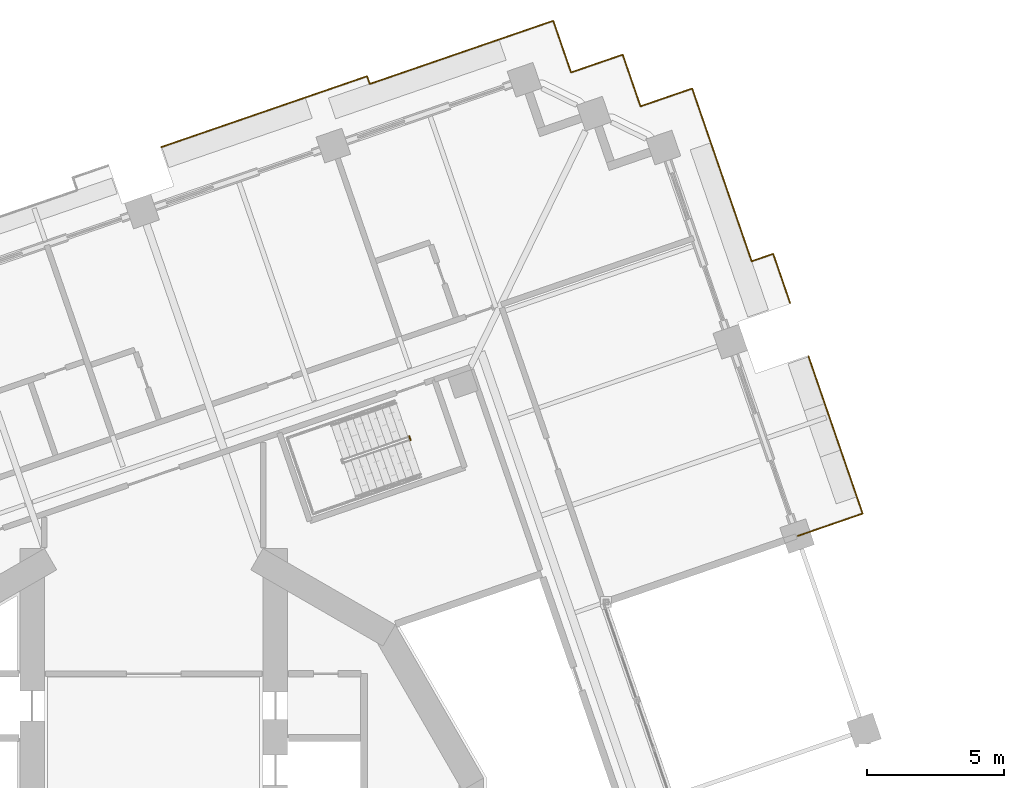
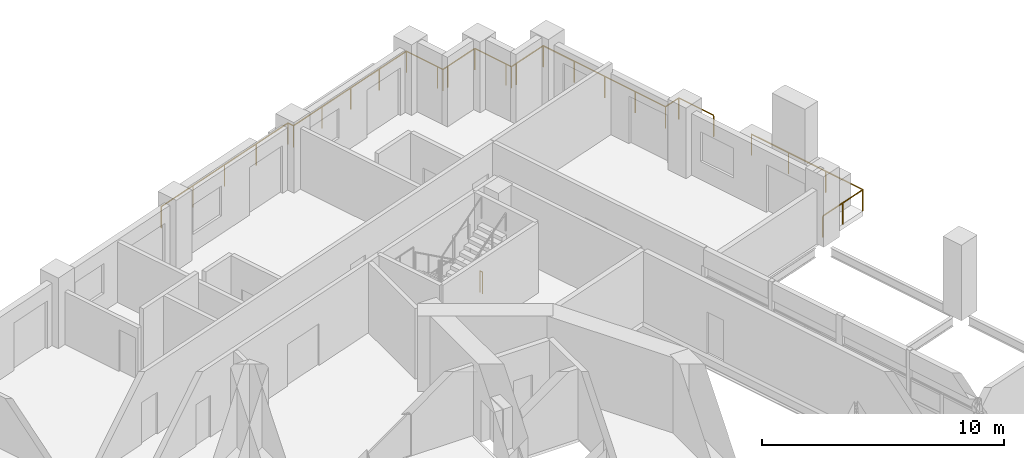
# One storey, part 20 of 21: 4 railings.
"""IFC4 building model written with IfcOpenShell, lengths in metres."""

from ifc_helpers import new_model, si_unit, direction, frame, origin, origin_2d, place, context, subcontext, project, spatial, circle, extrude, material, type_object, element, save


model = new_model("IFC4")

# Units and contexts
model_context = context("Model", 3, precision=1e-05, world=origin(), true_north=direction((0.0, 1.0)))
body_context = subcontext(model_context, "Body", "Model", "MODEL_VIEW")
ifc_project = project(units=[si_unit("LENGTHUNIT", "METRE"), si_unit("AREAUNIT", "SQUARE_METRE"), si_unit("VOLUMEUNIT", "CUBIC_METRE"), si_unit("PLANEANGLEUNIT", "RADIAN"), si_unit("MASSUNIT", "GRAM", prefix="KILO")], contexts=[model_context])

# Site, building, storey
site_placement = place(None, origin())
site = spatial("IfcSite", under=ifc_project, at=site_placement, CompositionType="ELEMENT")
building_placement = place(site_placement, origin())
building = spatial("IfcBuilding", under=site, at=building_placement, Name="Cantera Rosa Tower", CompositionType="ELEMENT")
storey_placement = place(building_placement, frame((0.0, 0.0, 119.300048828125)))
storey = spatial("IfcBuildingStorey", under=building, at=storey_placement, Name="L24", CompositionType="ELEMENT", Elevation=119.300048828125)

# Railings
ifc_material_1 = material(Name="Stainless steel and laminated glass", Category="steel")
railing_type_1 = type_object("IfcRailingType", Name="GUARD 1100", PredefinedType="BALUSTRADE", material=ifc_material_1)
railing_1_placement = place(storey_placement, frame((23.9619140625, 18.668212890625, 0.0)))
element("IfcRailing", 1, at=railing_1_placement, inside=storey, type_object=railing_type_1, Name="GUARD L24-11", PredefinedType="BALUSTRADE", context=body_context, shape_type="SweptSolid", body=[
    extrude(circle(Radius=0.030029296875, at=origin_2d()), frame((0.0, 0.0, 1.070068359375), z_axis=(0.325569345815, -0.945518165381, 0.0), x_axis=(0.945518165381, 0.325569345815, 0.0)), (0.0, 0.0, 1.0), 6.08984375),
    extrude(circle(Radius=0.030029296875, at=origin_2d()), frame((1.982666015625, -5.758056640625, 1.070068359375), z_axis=(-0.945510144898, -0.325592637963, 0.0), x_axis=(0.325592637963, -0.945510144898, 0.0)), (0.0, 0.0, 1.0), 2.51416015625),
    extrude(circle(Radius=0.02490234375, at=origin_2d()), origin(), (0.0, 0.0, 1.0), 1.0400390625),
    extrude(circle(Radius=0.02490234375, at=origin_2d()), frame((0.660888671875, -1.91943359375, 0.0)), (0.0, 0.0, 1.0), 1.0400390625),
    extrude(circle(Radius=0.02490234375, at=origin_2d()), frame((1.32177734375, -3.838623046875, 0.0)), (0.0, 0.0, 1.0), 1.0400390625),
    extrude(circle(Radius=0.02490234375, at=origin_2d()), frame((1.982666015625, -5.758056640625, 0.0)), (0.0, 0.0, 1.0), 1.0400390625),
    extrude(circle(Radius=0.02490234375, at=origin_2d()), frame((0.7939453125, -6.16748046875, 0.0)), (0.0, 0.0, 1.0), 1.0400390625),
    extrude(circle(Radius=0.02490234375, at=origin_2d()), frame((-0.39453125, -6.57666015625, 0.0)), (0.0, 0.0, 1.0), 1.0400390625),
])
railing_2_placement = place(storey_placement, frame((19.705810546875, 28.466552734375, 0.0)))
element("IfcRailing", 2, at=railing_2_placement, inside=storey, type_object=railing_type_1, Name="GUARD L24-12", PredefinedType="BALUSTRADE", context=body_context, shape_type="SweptSolid", body=[
    extrude(circle(Radius=0.030029296875, at=origin_2d()), frame((0.0, 0.0, 1.070068359375), z_axis=(0.325561349174, -0.945520918819, 0.0), x_axis=(0.945520918819, 0.325561349174, 0.0)), (0.0, 0.0, 1.0), 1.699951171875),
    extrude(circle(Radius=0.030029296875, at=origin_2d()), frame((0.553466796875, -1.607421875, 1.070068359375), z_axis=(0.325584707216, -0.945512875865, 0.0), x_axis=(0.945512875865, 0.325584707216, 0.0)), (0.0, 0.0, 1.0), 4.98583984375),
    extrude(circle(Radius=0.030029296875, at=origin_2d()), frame((2.1767578125, -6.321533203125, 1.070068359375), z_axis=(0.94547555612, 0.325693065293, 0.0), x_axis=(-0.325693065293, 0.94547555612, 0.0)), (0.0, 0.0, 1.0), 0.834228515625),
    extrude(circle(Radius=0.030029296875, at=origin_2d()), frame((2.965576171875, -6.0498046875, 1.070068359375), z_axis=(0.325520455673, -0.945534998262, 0.0), x_axis=(0.945534998262, 0.325520455673, 0.0)), (0.0, 0.0, 1.0), 1.904296875),
    extrude(circle(Radius=0.02490234375, at=origin_2d()), origin(), (0.0, 0.0, 1.0), 1.0400390625),
    extrude(circle(Radius=0.02490234375, at=origin_2d()), frame((0.553466796875, -1.607421875, 0.0)), (0.0, 0.0, 1.0), 1.0400390625),
    extrude(circle(Radius=0.02490234375, at=origin_2d()), frame((1.094482421875, -3.1787109375, 0.0)), (0.0, 0.0, 1.0), 1.0400390625),
    extrude(circle(Radius=0.02490234375, at=origin_2d()), frame((1.6357421875, -4.750244140625, 0.0)), (0.0, 0.0, 1.0), 1.0400390625),
    extrude(circle(Radius=0.02490234375, at=origin_2d()), frame((2.1767578125, -6.321533203125, 0.0)), (0.0, 0.0, 1.0), 1.0400390625),
    extrude(circle(Radius=0.02490234375, at=origin_2d()), frame((2.965576171875, -6.0498046875, 0.0)), (0.0, 0.0, 1.0), 1.0400390625),
    extrude(circle(Radius=0.02490234375, at=origin_2d()), frame((3.58544921875, -7.850341796875, 0.0)), (0.0, 0.0, 1.0), 1.0400390625),
])
railing_3_placement = place(storey_placement, frame((0.275146484375, 26.32275390625, 0.0)))
element("IfcRailing", 3, at=railing_3_placement, inside=storey, type_object=railing_type_1, Name="GUARD L24-13", PredefinedType="BALUSTRADE", context=body_context, shape_type="SweptSolid", body=[
    extrude(circle(Radius=0.030029296875, at=origin_2d()), frame((0.0, 0.0, 1.070068359375), z_axis=(0.945508985481, 0.32559600485, 0.0), x_axis=(-0.32559600485, 0.945508985481, 0.0)), (0.0, 0.0, 1.0), 7.96923828125),
    extrude(circle(Radius=0.030029296875, at=origin_2d()), frame((7.534912109375, 2.5947265625, 1.070068359375), z_axis=(0.325512939397, -0.945537585866, 0.0), x_axis=(0.945537585866, 0.325512939397, 0.0)), (0.0, 0.0, 1.0), 0.29931640625),
    extrude(circle(Radius=0.030029296875, at=origin_2d()), frame((7.63232421875, 2.311767578125, 1.070068359375), z_axis=(0.945522759596, 0.325556002993, 0.0), x_axis=(-0.325556002993, 0.945522759596, 0.0)), (0.0, 0.0, 1.0), 5.40087890625),
    extrude(circle(Radius=0.030029296875, at=origin_2d()), frame((12.739013671875, 4.070068359375, 1.070068359375), z_axis=(0.945520918819, 0.325561349174, 0.0), x_axis=(-0.325561349174, 0.945520918819, 0.0)), (0.0, 0.0, 1.0), 1.699951171875),
    extrude(circle(Radius=0.030029296875, at=origin_2d()), frame((14.346435546875, 4.62353515625, 1.070068359375), z_axis=(0.325561349174, -0.945520918819, 0.0), x_axis=(0.945520918819, 0.325561349174, 0.0)), (0.0, 0.0, 1.0), 1.699951171875),
    extrude(circle(Radius=0.030029296875, at=origin_2d()), frame((14.89990234375, 3.01611328125, 1.070068359375), z_axis=(0.325489086777, -0.945545797087, 0.0), x_axis=(0.945545797087, 0.325489086777, 0.0)), (0.0, 0.0, 1.0), 0.300048828125),
    extrude(circle(Radius=0.030029296875, at=origin_2d()), frame((14.99755859375, 2.732421875, 1.070068359375), z_axis=(0.945459489149, 0.325739703411, 0.0), x_axis=(-0.325739703411, 0.945459489149, 0.0)), (0.0, 0.0, 1.0), 0.2998046875),
    extrude(circle(Radius=0.030029296875, at=origin_2d()), frame((15.281005859375, 2.830078125, 1.070068359375), z_axis=(0.945520918819, 0.325561349174, 0.0), x_axis=(-0.325561349174, 0.945520918819, 0.0)), (0.0, 0.0, 1.0), 1.699951171875),
    extrude(circle(Radius=0.030029296875, at=origin_2d()), frame((16.888427734375, 3.383544921875, 1.070068359375), z_axis=(0.325605561237, -0.945505694584, 0.0), x_axis=(0.945505694584, 0.325605561237, 0.0)), (0.0, 0.0, 1.0), 1.69970703125),
    extrude(circle(Radius=0.030029296875, at=origin_2d()), frame((17.44189453125, 1.7763671875, 1.070068359375), z_axis=(0.325489086777, -0.945545797087, 0.0), x_axis=(0.945545797087, 0.325489086777, 0.0)), (0.0, 0.0, 1.0), 0.300048828125),
    extrude(circle(Radius=0.030029296875, at=origin_2d()), frame((17.53955078125, 1.49267578125, 1.070068359375), z_axis=(0.945545797087, 0.325489086777, 0.0), x_axis=(-0.325489086777, 0.945545797087, 0.0)), (0.0, 0.0, 1.0), 0.300048828125),
    extrude(circle(Radius=0.030029296875, at=origin_2d()), frame((17.8232421875, 1.59033203125, 1.070068359375), z_axis=(0.945520918819, 0.325561349174, 0.0), x_axis=(-0.325561349174, 0.945520918819, 0.0)), (0.0, 0.0, 1.0), 1.699951171875),
    extrude(circle(Radius=0.02490234375, at=origin_2d()), origin(), (0.0, 0.0, 1.0), 1.0400390625),
    extrude(circle(Radius=0.02490234375, at=origin_2d()), frame((1.8837890625, 0.648681640625, 0.0)), (0.0, 0.0, 1.0), 1.0400390625),
    extrude(circle(Radius=0.02490234375, at=origin_2d()), frame((3.767578125, 1.29736328125, 0.0)), (0.0, 0.0, 1.0), 1.0400390625),
    extrude(circle(Radius=0.02490234375, at=origin_2d()), frame((5.651123046875, 1.946044921875, 0.0)), (0.0, 0.0, 1.0), 1.0400390625),
    extrude(circle(Radius=0.02490234375, at=origin_2d()), frame((7.534912109375, 2.5947265625, 0.0)), (0.0, 0.0, 1.0), 1.0400390625),
    extrude(circle(Radius=0.02490234375, at=origin_2d()), frame((7.63232421875, 2.311767578125, 0.0)), (0.0, 0.0, 1.0), 1.0400390625),
    extrude(circle(Radius=0.02490234375, at=origin_2d()), frame((9.33447265625, 2.89794921875, 0.0)), (0.0, 0.0, 1.0), 1.0400390625),
    extrude(circle(Radius=0.02490234375, at=origin_2d()), frame((11.036865234375, 3.48388671875, 0.0)), (0.0, 0.0, 1.0), 1.0400390625),
    extrude(circle(Radius=0.02490234375, at=origin_2d()), frame((12.739013671875, 4.070068359375, 0.0)), (0.0, 0.0, 1.0), 1.0400390625),
    extrude(circle(Radius=0.02490234375, at=origin_2d()), frame((14.346435546875, 4.62353515625, 0.0)), (0.0, 0.0, 1.0), 1.0400390625),
    extrude(circle(Radius=0.02490234375, at=origin_2d()), frame((14.89990234375, 3.01611328125, 0.0)), (0.0, 0.0, 1.0), 1.0400390625),
    extrude(circle(Radius=0.02490234375, at=origin_2d()), frame((14.99755859375, 2.732421875, 0.0)), (0.0, 0.0, 1.0), 1.0400390625),
    extrude(circle(Radius=0.02490234375, at=origin_2d()), frame((15.281005859375, 2.830078125, 0.0)), (0.0, 0.0, 1.0), 1.0400390625),
    extrude(circle(Radius=0.02490234375, at=origin_2d()), frame((16.888427734375, 3.383544921875, 0.0)), (0.0, 0.0, 1.0), 1.0400390625),
    extrude(circle(Radius=0.02490234375, at=origin_2d()), frame((17.44189453125, 1.7763671875, 0.0)), (0.0, 0.0, 1.0), 1.0400390625),
    extrude(circle(Radius=0.02490234375, at=origin_2d()), frame((17.53955078125, 1.49267578125, 0.0)), (0.0, 0.0, 1.0), 1.0400390625),
    extrude(circle(Radius=0.02490234375, at=origin_2d()), frame((17.8232421875, 1.59033203125, 0.0)), (0.0, 0.0, 1.0), 1.0400390625),
    extrude(circle(Radius=0.02490234375, at=origin_2d()), frame((19.4306640625, 2.143798828125, 0.0)), (0.0, 0.0, 1.0), 1.0400390625),
])
ifc_material_2 = material(Name="Steel S355J2 (EN 10025-2)", Category="steel")
railing_type_2 = type_object("IfcRailingType", Name="STAIR GUARD 1100", PredefinedType="GUARDRAIL", material=ifc_material_2)
railing_4_placement = place(storey_placement, frame((9.3466796875, 15.742919921875, 0.0)))
element("IfcRailing", 4, at=railing_4_placement, inside=storey, type_object=railing_type_2, Name="L24 ST-21 stair guard 3", PredefinedType="GUARDRAIL", context=body_context, shape_type="SweptSolid", body=[
    extrude(circle(Radius=0.02392578125, at=origin_2d()), frame((0.0, 0.0, 1.076171875), z_axis=(0.325489086777, -0.945545797087, 0.0), x_axis=(0.945545797087, 0.325489086777, 0.0)), (0.0, 0.0, 1.0), 0.14990234375),
    extrude(circle(Radius=0.02099609375, at=origin_2d()), origin(), (0.0, 0.0, 1.0), 1.052001953125),
    extrude(circle(Radius=0.02099609375, at=origin_2d()), frame((0.048828125, -0.141845703125, 0.0)), (0.0, 0.0, 1.0), 1.052001953125),
])

save(model, "model.ifc")
